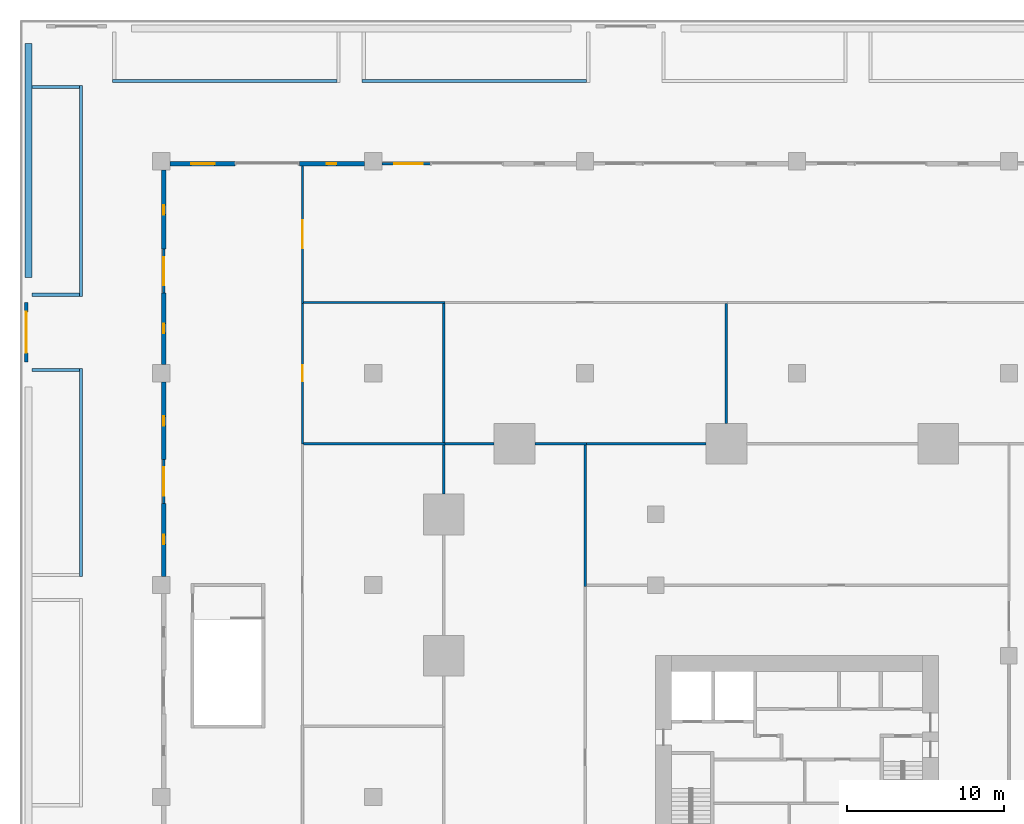
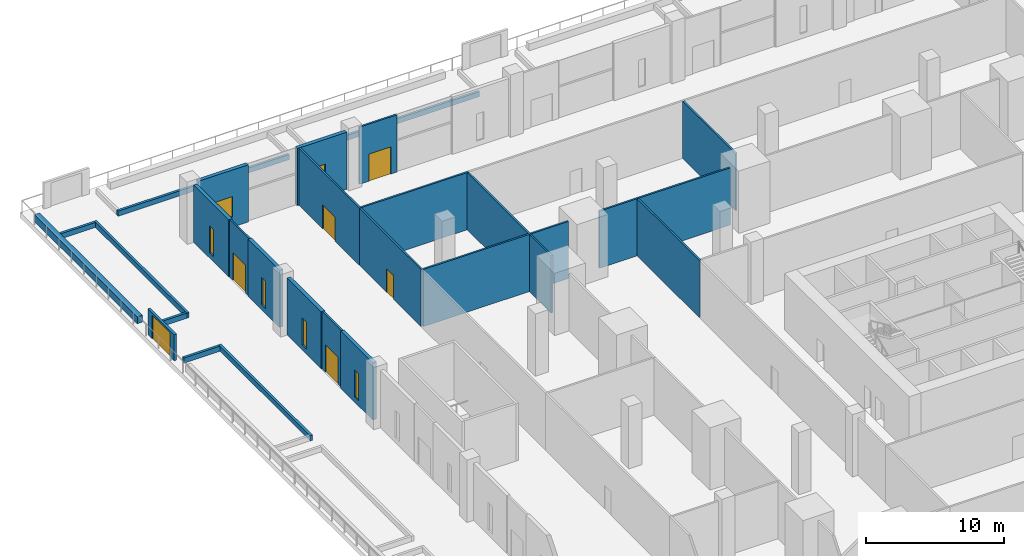
# One storey, part 32 of 47: 29 walls, 6 doors, 6 windows, 12 openings.
"""IFC4 building model written with IfcOpenShell, lengths in metres."""

import ifcopenshell
import ifcopenshell.guid

model = None  # the IFC model being written
_history = None  # IfcOwnerHistory: only IFC2X3 demands one
_inside = {}  # id of a spatial element -> (the spatial element, [elements in it])
_under = {}  # id of a project, library or spatial element -> (it, [spatial elements below it])
_declared = {}  # id of a project -> (the project, [libraries it declares])
_typed = {}  # id of a type object -> (the type object, [elements of that type])
_made_of = {}  # id of a material, layer set ... -> (it, [elements and type objects made of it])


def new_model(schema):
    """Start an empty IFC model of exactly this schema.

    Asked for "IFC4X3", IfcOpenShell would pick the latest addendum, in which some entities
    have other attributes; the version numbers below select the first issue.
    IFC2X3 requires an IfcOwnerHistory on every rooted entity: one is made here for all.
    """
    global model, _history
    if schema == "IFC4X3":
        model = ifcopenshell.file(schema_version=(4, 3, 0, 0))
    else:
        model = ifcopenshell.file(schema=schema)
    _inside.clear()
    _under.clear()
    _declared.clear()
    _typed.clear()
    _made_of.clear()
    _history = None
    if model.schema == "IFC2X3":
        org = make("IfcOrganization", Name="unknown")
        user = make(
            "IfcPersonAndOrganization",
            ThePerson=make("IfcPerson", FamilyName="unknown"),
            TheOrganization=org,
        )
        app = make(
            "IfcApplication",
            ApplicationDeveloper=org,
            Version="unknown",
            ApplicationFullName="unknown",
            ApplicationIdentifier="unknown",
        )
        _history = make(
            "IfcOwnerHistory",
            OwningUser=user,
            OwningApplication=app,
            ChangeAction="ADDED",
            CreationDate=0,
        )
    return model


def make(cls, **values):
    """One entity of the class cls with the attributes given. An attribute that is None is left unset."""
    return model.create_entity(
        cls, **{name: value for name, value in values.items() if value is not None}
    )


def rooted(cls, **values):
    """An entity with a GlobalId (a new one), such as an element, a storey or a relation."""
    return make(cls, GlobalId=ifcopenshell.guid.new(), OwnerHistory=_history, **values)


def si_unit(unit_type, name, prefix=None):
    """IfcSIUnit, for example si_unit("LENGTHUNIT", "METRE", prefix="MILLI")."""
    return make("IfcSIUnit", UnitType=unit_type, Prefix=prefix, Name=name)


def assignment(units):
    """IfcUnitAssignment: the units of a project."""
    return None if units is None else make("IfcUnitAssignment", Units=units)


def point(xyz):
    """IfcCartesianPoint."""
    return None if xyz is None else make("IfcCartesianPoint", Coordinates=xyz)


def direction(xyz):
    """IfcDirection."""
    return None if xyz is None else make("IfcDirection", DirectionRatios=xyz)


def frame(location, z_axis=None, x_axis=None):
    """IfcAxis2Placement3D, a coordinate frame: its origin and axes. An axis left out is left unset."""
    return make(
        "IfcAxis2Placement3D",
        Location=point(location),
        Axis=direction(z_axis),
        RefDirection=direction(x_axis),
    )


def frame_2d(location, x_axis=None):
    """IfcAxis2Placement2D, a coordinate frame in the plane: its origin and x axis."""
    return make(
        "IfcAxis2Placement2D", Location=point(location), RefDirection=direction(x_axis)
    )


def origin():
    """The frame at (0, 0, 0) with its axes left unset."""
    return frame((0.0, 0.0, 0.0))


def place(relative_to, where):
    """IfcLocalPlacement: puts the frame where relative to a parent placement (None: the world)."""
    return make(
        "IfcLocalPlacement", PlacementRelTo=relative_to, RelativePlacement=where
    )


def context(
    kind, dimensions, precision=None, world=None, true_north=None, identifier=None
):
    """IfcGeometricRepresentationContext, for example the 3D "Model" context."""
    return make(
        "IfcGeometricRepresentationContext",
        ContextIdentifier=identifier,
        ContextType=kind,
        CoordinateSpaceDimension=dimensions,
        Precision=precision,
        WorldCoordinateSystem=world,
        TrueNorth=true_north,
    )


def subcontext(parent, identifier, kind, view, scale=None):
    """IfcGeometricRepresentationSubContext, for example "Body" below "Model"."""
    return make(
        "IfcGeometricRepresentationSubContext",
        ContextIdentifier=identifier,
        ContextType=kind,
        ParentContext=parent,
        TargetScale=scale,
        TargetView=view,
    )


def project(units=None, contexts=None):
    """IfcProject with its units and contexts."""
    return rooted(
        "IfcProject",
        Name="project",
        RepresentationContexts=contexts,
        UnitsInContext=assignment(units),
    )


def spatial(cls, under=None, at=None, **own):
    """A site, building, storey or space (cls), placed at a placement, below another one or the project."""
    s = rooted(cls, ObjectPlacement=at, **own)
    if under is not None:
        _under.setdefault(under.id(), (under, []))[1].append(s)
    return s


def profile(cls, at=None, kind="AREA", **sizes):
    """A parametric profile (cls). Its sizes go by their IFC names, for example OverallWidth=200.0."""
    return make(cls, ProfileType=kind, Position=at, **sizes)


def rectangle(**sizes):
    """IfcRectangleProfileDef."""
    return profile("IfcRectangleProfileDef", **sizes)


def extrude(swept, where, along, depth):
    """IfcExtrudedAreaSolid: the profile swept, set in the frame where, extruded along a direction by depth."""
    return make(
        "IfcExtrudedAreaSolid",
        SweptArea=swept,
        Position=where,
        ExtrudedDirection=direction(along),
        Depth=depth,
    )


def shape(context_of_items, identifier, shape_type, items):
    """IfcShapeRepresentation: the items that make up one representation, for example the "Body"."""
    return make(
        "IfcShapeRepresentation",
        ContextOfItems=context_of_items,
        RepresentationIdentifier=identifier,
        RepresentationType=shape_type,
        Items=items,
    )


def material(Name=None, Category=None):
    """IfcMaterial."""
    return make("IfcMaterial", Name=Name, Category=Category)


def layer(
    of_material, thickness, ventilated=None, Name=None, Category=None, Priority=None
):
    """IfcMaterialLayer: one layer of a wall or slab, of a material (None: an air gap)."""
    return make(
        "IfcMaterialLayer",
        Material=of_material,
        LayerThickness=thickness,
        IsVentilated=ventilated,
        Name=Name,
        Category=Category,
        Priority=Priority,
    )


def layer_set(layers, Name=None):
    """IfcMaterialLayerSet."""
    return make("IfcMaterialLayerSet", MaterialLayers=layers, LayerSetName=Name)


def made_of(thing, what):
    """Note that an element or type object is made of a material, layer set ...; save() writes the relation."""
    if what is not None:
        _made_of.setdefault(what.id(), (what, []))[1].append(thing)
    return thing


def type_object(cls, material=None, **own):
    """A type object (cls), such as IfcWallType, which elements share."""
    return made_of(rooted(cls, **own), material)


def element(
    cls,
    number,
    at=None,
    inside=None,
    cuts=None,
    type_object=None,
    material=None,
    context=None,
    identifier="Body",
    shape_type=None,
    held_by="IfcProductDefinitionShape",
    body=None,
    shapes=None,
    **own,
):
    """One element of the class cls, such as IfcWall. Its Tag is "e" and its number.

    at: its placement. inside: the storey or other place that contains it. cuts: it is an
    opening in that element (IfcRelVoidsElement). A single representation is given by context,
    identifier, shape_type and body (its items); several are given by shapes. held_by: the class
    of the entity that holds the representations. save() writes the other relations.
    """
    e = rooted(cls, Tag="e%d" % number, ObjectPlacement=at, **own)
    if body is not None:
        shapes = [shape(context, identifier, shape_type, body)]
    if shapes is not None:
        e.Representation = make(held_by, Representations=shapes)
    if inside is not None:
        _inside.setdefault(inside.id(), (inside, []))[1].append(e)
    if cuts is not None:
        rooted(
            "IfcRelVoidsElement", RelatingBuildingElement=cuts, RelatedOpeningElement=e
        )
    if type_object is not None:
        _typed.setdefault(type_object.id(), (type_object, []))[1].append(e)
    return made_of(e, material)


def fill(opening, filler):
    """IfcRelFillsElement: the door or window that sits in an opening."""
    return rooted(
        "IfcRelFillsElement",
        RelatingOpeningElement=opening,
        RelatedBuildingElement=filler,
    )


def aggregate(whole, parts):
    """IfcRelAggregates: a whole, such as a stair, and the parts it consists of."""
    return rooted("IfcRelAggregates", RelatingObject=whole, RelatedObjects=parts)


def save(model, path):
    """Write the relations noted so far, then the file.

    IfcRelAggregates (storeys below a building ...), IfcRelContainedInSpatialStructure (elements
    in a storey), IfcRelDefinesByType, IfcRelAssociatesMaterial and IfcRelDeclares: one each for
    every whole, place, type object, material and project.
    """
    for whole, parts in _under.values():
        aggregate(whole, parts)
    for where, things in _inside.values():
        rooted(
            "IfcRelContainedInSpatialStructure",
            RelatedElements=things,
            RelatingStructure=where,
        )
    for kind, things in _typed.values():
        rooted("IfcRelDefinesByType", RelatedObjects=things, RelatingType=kind)
    for what, things in _made_of.values():
        rooted("IfcRelAssociatesMaterial", RelatedObjects=things, RelatingMaterial=what)
    for by, libraries in _declared.values():
        rooted("IfcRelDeclares", RelatingContext=by, RelatedDefinitions=libraries)
    model.write(path)


model = new_model("IFC4")

# Units and contexts
model_context = context("Model", 3, precision=1e-05, world=origin(), true_north=direction((0.0, 1.0)))
body_context = subcontext(model_context, "Body", "Model", "MODEL_VIEW")
ifc_project = project(units=[si_unit("LENGTHUNIT", "METRE"), si_unit("AREAUNIT", "SQUARE_METRE"), si_unit("VOLUMEUNIT", "CUBIC_METRE"), si_unit("PLANEANGLEUNIT", "RADIAN"), si_unit("MASSUNIT", "GRAM", prefix="KILO")], contexts=[model_context])

# Site, building, storey
site_placement = place(None, origin())
site = spatial("IfcSite", under=ifc_project, at=site_placement, CompositionType="ELEMENT")
building_placement = place(site_placement, origin())
building = spatial("IfcBuilding", under=site, at=building_placement, Name="Altepetl Exchange Towers", CompositionType="ELEMENT")
storey_placement = place(building_placement, frame((0.0, 0.0, 6.0)))
storey = spatial("IfcBuildingStorey", under=building, at=storey_placement, Name="L01 Retail podium", CompositionType="ELEMENT", Elevation=6.0)

# Wall, opening, door
ifc_material_1 = material(Name="Reinforced concrete C35/45", Category="concrete")
ifc_layer_1 = layer(ifc_material_1, 0.199951171875)
ifc_layer_set_1 = layer_set([ifc_layer_1], Name="Reinforced concrete C35/45")
wall_type_1 = type_object("IfcWallType", Name="Garden gate screen wall 200", PredefinedType="SOLIDWALL", material=ifc_layer_set_1)
wall_1_placement = place(storey_placement, frame((0.39990234375, 77.199951171875, 0.0), z_axis=(0.0, 0.0, 1.0), x_axis=(0.0, 1.0, 0.0)))
wall_1 = element("IfcWall", 1, at=wall_1_placement, inside=storey, type_object=wall_type_1, Name="wall:P:L01:gateG5", PredefinedType="SOLIDWALL", context=body_context, shape_type="SweptSolid", body=[
    extrude(rectangle(XDim=3.800048828125, YDim=0.199951171875, at=frame_2d((1.89990234375, 0.0))), origin(), (0.0, 0.0, 1.0), 2.300048828125),
])
opening_1_placement = place(wall_1_placement, frame((0.60009765625, 0.0, 0.0)))
opening_1 = element("IfcOpeningElement", 2, at=opening_1_placement, cuts=wall_1, Name="Opening L01.P060", PredefinedType="OPENING", context=body_context, shape_type="SweptSolid", body=[
    extrude(rectangle(XDim=2.60009765625, YDim=2.10009765625, at=frame_2d((1.300048828125, 1.050048828125))), frame((0.0, 0.10986328125, 0.0), z_axis=(0.0, -1.0, 0.0), x_axis=(1.0, 0.0, 0.0)), (0.0, 0.0, 1.0), 0.219970703125),
])
ifc_material_2 = material(Name="Painted steel bars and timber", Category="steel")
door_type_1 = type_object("IfcDoorType", Name="Garden gate 2600 x 2100 double leaf", OperationType="DOUBLE_DOOR_SINGLE_SWING", PredefinedType="GATE", material=ifc_material_2)
door_1_placement = place(opening_1_placement, origin())
door_1 = element("IfcDoor", 3, at=door_1_placement, inside=storey, type_object=door_type_1, Name="door:P:L01:060", OperationType="DOUBLE_DOOR_SINGLE_SWING", OverallHeight=2.10009765625, OverallWidth=2.60009765625, PredefinedType="GATE", context=body_context, shape_type="SweptSolid", body=[
    extrude(rectangle(XDim=2.60009765625, YDim=2.10009765625, at=frame_2d((1.300048828125, 1.050048828125))), frame((0.0, 0.02490234375, 0.0), z_axis=(0.0, -1.0, 0.0), x_axis=(1.0, 0.0, 0.0)), (0.0, 0.0, 1.0), 0.050048828125),
])
fill(opening_1, door_1)

ifc_material_3 = material(Name="Aluminium composite cladding", Category="aluminium")
ifc_layer_2 = layer(ifc_material_3, 0.14990234375)
ifc_layer_set_2 = layer_set([ifc_layer_2], Name="Aluminium composite cladding")
wall_type_2 = type_object("IfcWallType", Name="Infill wall 150 aluminium panel", PredefinedType="SOLIDWALL", material=ifc_layer_set_2)
wall_2_placement = place(storey_placement, frame((26.14990234375, 89.85009765625, 0.0), z_axis=(0.0, 0.0, 1.0), x_axis=(-1.0, 0.0, 0.0)))
wall_2 = element("IfcWall", 4, at=wall_2_placement, inside=storey, type_object=wall_type_2, Name="Door bay wall", PredefinedType="SOLIDWALL", context=body_context, shape_type="SweptSolid", body=[
    extrude(rectangle(XDim=3.099853515625, YDim=0.14990234375, at=frame_2d((1.5498046875, 0.0))), origin(), (0.0, 0.0, 1.0), 5.050048828125),
])
opening_2_placement = place(wall_2_placement, frame((0.5, 0.0, 0.0)))
opening_2 = element("IfcOpeningElement", 5, at=opening_2_placement, cuts=wall_2, Name="Opening L01.E15", PredefinedType="OPENING", context=body_context, shape_type="SweptSolid", body=[
    extrude(rectangle(XDim=1.800048828125, YDim=2.39990234375, at=frame_2d((0.89990234375, 1.199951171875))), frame((0.0, 0.0849609375, 0.0), z_axis=(0.0, -1.0, 0.0), x_axis=(1.0, 0.0, 0.0)), (0.0, 0.0, 1.0), 0.169921875),
])
ifc_material_4 = material(Name="Aluminium 6063-T6 and glass", Category="aluminium")
door_type_2 = type_object("IfcDoorType", Name="Glazed door pair 1800x2400", OperationType="DOUBLE_DOOR_DOUBLE_SWING", PredefinedType="NOTDEFINED", material=ifc_material_4)
door_2_placement = place(opening_2_placement, frame((1.800048828125, 0.0, 0.0), x_axis=(-1.0, 0.0, 0.0)))
door_2 = element("IfcDoor", 6, at=door_2_placement, inside=storey, type_object=door_type_2, Name="Terrace door", OperationType="DOUBLE_DOOR_DOUBLE_SWING", OverallHeight=2.39990234375, OverallWidth=1.800048828125, PredefinedType="NOTDEFINED", context=body_context, shape_type="SweptSolid", body=[
    extrude(rectangle(XDim=1.800048828125, YDim=2.39990234375, at=frame_2d((0.89990234375, 1.199951171875))), frame((0.0, 0.02490234375, 0.0), z_axis=(0.0, -1.0, 0.0), x_axis=(1.0, 0.0, 0.0)), (0.0, 0.0, 1.0), 0.050048828125),
])
fill(opening_2, door_2)

wall_3_placement = place(storey_placement, frame((9.14990234375, 84.39990234375, 0.0), z_axis=(0.0, 0.0, 1.0), x_axis=(0.0, -1.0, 0.0)))
wall_3 = element("IfcWall", 7, at=wall_3_placement, inside=storey, type_object=wall_type_2, Name="Door bay wall", PredefinedType="SOLIDWALL", context=body_context, shape_type="SweptSolid", body=[
    extrude(rectangle(XDim=2.7998046875, YDim=0.14990234375, at=frame_2d((1.39990234375, 0.0))), origin(), (0.0, 0.0, 1.0), 5.050048828125),
])
opening_3_placement = place(wall_3_placement, frame((0.5, 0.0, 0.0)))
opening_3 = element("IfcOpeningElement", 8, at=opening_3_placement, cuts=wall_3, Name="Opening L01.E10", PredefinedType="OPENING", context=body_context, shape_type="SweptSolid", body=[
    extrude(rectangle(XDim=1.800048828125, YDim=2.39990234375, at=frame_2d((0.89990234375, 1.199951171875))), frame((0.0, 0.0849609375, 0.0), z_axis=(0.0, -1.0, 0.0), x_axis=(1.0, 0.0, 0.0)), (0.0, 0.0, 1.0), 0.169921875),
])
door_3_placement = place(opening_3_placement, frame((1.800048828125, 0.0, 0.0), x_axis=(-1.0, 0.0, 0.0)))
door_3 = element("IfcDoor", 9, at=door_3_placement, inside=storey, type_object=door_type_2, Name="Terrace door", OperationType="DOUBLE_DOOR_DOUBLE_SWING", OverallHeight=2.39990234375, OverallWidth=1.800048828125, PredefinedType="NOTDEFINED", context=body_context, shape_type="SweptSolid", body=[
    extrude(rectangle(XDim=1.800048828125, YDim=2.39990234375, at=frame_2d((0.89990234375, 1.199951171875))), frame((0.0, 0.02490234375, 0.0), z_axis=(0.0, -1.0, 0.0), x_axis=(1.0, 0.0, 0.0)), (0.0, 0.0, 1.0), 0.050048828125),
])
fill(opening_3, door_3)

wall_4_placement = place(storey_placement, frame((9.14990234375, 71.0, 0.0), z_axis=(0.0, 0.0, 1.0), x_axis=(0.0, -1.0, 0.0)))
wall_4 = element("IfcWall", 10, at=wall_4_placement, inside=storey, type_object=wall_type_2, Name="Door bay wall", PredefinedType="SOLIDWALL", context=body_context, shape_type="SweptSolid", body=[
    extrude(rectangle(XDim=2.800048828125, YDim=0.14990234375, at=frame_2d((1.39990234375, 0.0))), origin(), (0.0, 0.0, 1.0), 5.050048828125),
])
opening_4_placement = place(wall_4_placement, frame((0.5, 0.0, 0.0)))
opening_4 = element("IfcOpeningElement", 11, at=opening_4_placement, cuts=wall_4, Name="Opening L01.E09", PredefinedType="OPENING", context=body_context, shape_type="SweptSolid", body=[
    extrude(rectangle(XDim=1.800048828125, YDim=2.39990234375, at=frame_2d((0.89990234375, 1.199951171875))), frame((0.0, 0.0849609375, 0.0), z_axis=(0.0, -1.0, 0.0), x_axis=(1.0, 0.0, 0.0)), (0.0, 0.0, 1.0), 0.169921875),
])
door_4_placement = place(opening_4_placement, frame((1.800048828125, 0.0, 0.0), x_axis=(-1.0, 0.0, 0.0)))
door_4 = element("IfcDoor", 12, at=door_4_placement, inside=storey, type_object=door_type_2, Name="Terrace door", OperationType="DOUBLE_DOOR_DOUBLE_SWING", OverallHeight=2.39990234375, OverallWidth=1.800048828125, PredefinedType="NOTDEFINED", context=body_context, shape_type="SweptSolid", body=[
    extrude(rectangle(XDim=1.800048828125, YDim=2.39990234375, at=frame_2d((0.89990234375, 1.199951171875))), frame((0.0, 0.02490234375, 0.0), z_axis=(0.0, -1.0, 0.0), x_axis=(1.0, 0.0, 0.0)), (0.0, 0.0, 1.0), 0.050048828125),
])
fill(opening_4, door_4)

# Walls
ifc_material_5 = material(Name="Concrete C30/37", Category="concrete")
ifc_layer_3 = layer(ifc_material_5, 0.449951171875)
ifc_layer_set_3 = layer_set([ifc_layer_3], Name="Concrete C30/37")
wall_type_3 = type_object("IfcWallType", Name="Planter wall 450 concrete", PredefinedType="SOLIDWALL", material=ifc_layer_set_3)
wall_5_placement = place(storey_placement, frame((0.550048828125, 97.4892578125, 0.0), z_axis=(0.0, 0.0, 1.0), x_axis=(0.0, -1.0, 0.0)))
element("IfcWall", 13, at=wall_5_placement, inside=storey, type_object=wall_type_3, Name="Planter bed wall", PredefinedType="SOLIDWALL", context=body_context, shape_type="SweptSolid", body=[
    extrude(rectangle(XDim=14.896728515625, YDim=0.449951171875, at=frame_2d((7.4482421875, 0.0))), origin(), (0.0, 0.0, 1.0), 0.60009765625),
])
ifc_layer_4 = layer(ifc_material_1, 0.199951171875)
ifc_layer_set_4 = layer_set([ifc_layer_4], Name="Reinforced concrete C35/45")
wall_type_4 = type_object("IfcWallType", Name="Planting bed curb 200", PredefinedType="SOLIDWALL", material=ifc_layer_set_4)
for number, where, name in (
    (14, (5.89990234375, 95.125, 0.0), "wall:P:L01:CB20s"),
    (15, (21.800048828125, 95.125, 0.0), "wall:P:L01:CB21s"),
):
    element("IfcWall", number, at=place(storey_placement, frame(where)), inside=storey, type_object=wall_type_4, Name=name, PredefinedType="SOLIDWALL", context=body_context, shape_type="SweptSolid", body=[
        extrude(rectangle(XDim=14.300048828125, YDim=0.199951171875, at=frame_2d((7.14990234375, 0.0))), origin(), (0.0, 0.0, 1.0), 0.449951171875),
    ])
wall_6_placement = place(storey_placement, frame((3.875, 63.5400390625, 0.0), z_axis=(0.0, 0.0, 1.0), x_axis=(0.0, 1.0, 0.0)))
element("IfcWall", 16, at=wall_6_placement, inside=storey, type_object=wall_type_4, Name="wall:P:L01:CB26e", PredefinedType="SOLIDWALL", context=body_context, shape_type="SweptSolid", body=[
    extrude(rectangle(XDim=13.260009765625, YDim=0.199951171875, at=frame_2d((6.6298828125, 0.0))), origin(), (0.0, 0.0, 1.0), 0.449951171875),
])
wall_7_placement = place(storey_placement, frame((0.77490234375, 76.699951171875, 0.0)))
element("IfcWall", 17, at=wall_7_placement, inside=storey, type_object=wall_type_4, Name="wall:P:L01:CB26n", PredefinedType="SOLIDWALL", context=body_context, shape_type="SweptSolid", body=[
    extrude(rectangle(XDim=3.0, YDim=0.199951171875, at=frame_2d((1.5, 0.0))), origin(), (0.0, 0.0, 1.0), 0.449951171875),
])
wall_8_placement = place(storey_placement, frame((3.875, 81.39990234375, 0.0), z_axis=(0.0, 0.0, 1.0), x_axis=(0.0, 1.0, 0.0)))
element("IfcWall", 18, at=wall_8_placement, inside=storey, type_object=wall_type_4, Name="wall:P:L01:CB27e", PredefinedType="SOLIDWALL", context=body_context, shape_type="SweptSolid", body=[
    extrude(rectangle(XDim=13.425048828125, YDim=0.199951171875, at=frame_2d((6.71240234375, 0.0))), origin(), (0.0, 0.0, 1.0), 0.449951171875),
])
for number, where, name in (
    (19, (0.77490234375, 94.72509765625, 0.0), "wall:P:L01:CB27n"),
    (20, (0.77490234375, 81.5, 0.0), "wall:P:L01:CB27s"),
):
    element("IfcWall", number, at=place(storey_placement, frame(where)), inside=storey, type_object=wall_type_4, Name=name, PredefinedType="SOLIDWALL", context=body_context, shape_type="SweptSolid", body=[
        extrude(rectangle(XDim=3.0, YDim=0.199951171875, at=frame_2d((1.5, 0.0))), origin(), (0.0, 0.0, 1.0), 0.449951171875),
    ])

# Wall, opening, door
ifc_material_6 = material(Name="Gypsum board on steel studs", Category="steel")
ifc_layer_5 = layer(ifc_material_6, 0.14990234375)
ifc_layer_set_5 = layer_set([ifc_layer_5], Name="Gypsum board on steel studs")
wall_type_5 = type_object("IfcWallType", Name="Podium partition 150", PredefinedType="PARTITIONING", material=ifc_layer_set_5)
wall_9_placement = place(storey_placement, frame((18.0, 80.925048828125, 0.0), z_axis=(0.0, 0.0, 1.0), x_axis=(0.0, 1.0, 0.0)))
wall_9 = element("IfcWall", 21, at=wall_9_placement, inside=storey, type_object=wall_type_5, Name="wall:P:L01:P036", PredefinedType="PARTITIONING", context=body_context, shape_type="SweptSolid", body=[
    extrude(rectangle(XDim=8.77490234375, YDim=0.14990234375, at=frame_2d((4.387451171875, 0.0))), origin(), (0.0, 0.0, 1.0), 5.050048828125),
])
opening_5_placement = place(wall_9_placement, frame((3.52490234375, 0.0, 0.0)))
opening_5 = element("IfcOpeningElement", 22, at=opening_5_placement, cuts=wall_9, Name="Opening L01.P047", PredefinedType="OPENING", context=body_context, shape_type="SweptSolid", body=[
    extrude(rectangle(XDim=1.800048828125, YDim=2.10009765625, at=frame_2d((0.89990234375, 1.050048828125))), frame((0.0, 0.0849609375, 0.0), z_axis=(0.0, -1.0, 0.0), x_axis=(1.0, 0.0, 0.0)), (0.0, 0.0, 1.0), 0.169921875),
])
ifc_material_7 = material(Name="Glazed aluminium and steel", Category="steel")
door_type_3 = type_object("IfcDoorType", Name="Podium fire door 1800 x 2100 double leaf", OperationType="DOUBLE_DOOR_SINGLE_SWING", PredefinedType="DOOR", material=ifc_material_7)
door_5_placement = place(opening_5_placement, frame((1.800048828125, 0.0, 0.0), x_axis=(-1.0, 0.0, 0.0)))
door_5 = element("IfcDoor", 23, at=door_5_placement, inside=storey, type_object=door_type_3, Name="door:P:L01:047", OperationType="DOUBLE_DOOR_SINGLE_SWING", OverallHeight=2.10009765625, OverallWidth=1.800048828125, PredefinedType="DOOR", context=body_context, shape_type="SweptSolid", body=[
    extrude(rectangle(XDim=1.800048828125, YDim=2.10009765625, at=frame_2d((0.89990234375, 1.050048828125))), frame((0.0, 0.02490234375, 0.0), z_axis=(0.0, -1.0, 0.0), x_axis=(1.0, 0.0, 0.0)), (0.0, 0.0, 1.0), 0.050048828125),
])
fill(opening_5, door_5)

wall_10_placement = place(storey_placement, frame((18.0, 72.0, 0.0), z_axis=(0.0, 0.0, 1.0), x_axis=(0.0, 1.0, 0.0)))
wall_10 = element("IfcWall", 24, at=wall_10_placement, inside=storey, type_object=wall_type_5, Name="wall:P:L01:P040", PredefinedType="PARTITIONING", context=body_context, shape_type="SweptSolid", body=[
    extrude(rectangle(XDim=9.0, YDim=0.14990234375, at=frame_2d((4.5, 0.0))), origin(), (0.0, 0.0, 1.0), 5.050048828125),
])
opening_6_placement = place(wall_10_placement, frame((4.0, 0.0, 0.0)))
opening_6 = element("IfcOpeningElement", 25, at=opening_6_placement, cuts=wall_10, Name="Opening L01.P004", PredefinedType="OPENING", context=body_context, shape_type="SweptSolid", body=[
    extrude(rectangle(XDim=1.0, YDim=2.10009765625, at=frame_2d((0.5, 1.050048828125))), frame((0.0, 0.0849609375, 0.0), z_axis=(0.0, -1.0, 0.0), x_axis=(1.0, 0.0, 0.0)), (0.0, 0.0, 1.0), 0.169921875),
])
ifc_material_8 = material(Name="Steel and timber fire door", Category="steel")
door_type_4 = type_object("IfcDoorType", Name="Podium fire door 1000 x 2100 single leaf", OperationType="SINGLE_SWING_LEFT", PredefinedType="DOOR", material=ifc_material_8)
door_6_placement = place(opening_6_placement, frame((1.0, 0.0, 0.0), x_axis=(-1.0, 0.0, 0.0)))
door_6 = element("IfcDoor", 26, at=door_6_placement, inside=storey, type_object=door_type_4, Name="door:P:L01:004", OperationType="SINGLE_SWING_LEFT", OverallHeight=2.10009765625, OverallWidth=1.0, PredefinedType="DOOR", context=body_context, shape_type="SweptSolid", body=[
    extrude(rectangle(XDim=1.0, YDim=2.10009765625, at=frame_2d((0.5, 1.050048828125))), frame((0.0, 0.02490234375, 0.0), z_axis=(0.0, -1.0, 0.0), x_axis=(1.0, 0.0, 0.0)), (0.0, 0.0, 1.0), 0.050048828125),
])
fill(opening_6, door_6)

# Walls
for number, where, name in (
    (27, (18.074951171875, 81.0, 0.0), "wall:P:L01:P050"),
    (28, (18.074951171875, 72.0, 0.0), "wall:P:L01:P075"),
):
    element("IfcWall", number, at=place(storey_placement, frame(where)), inside=storey, type_object=wall_type_5, Name=name, PredefinedType="PARTITIONING", context=body_context, shape_type="SweptSolid", body=[
        extrude(rectangle(XDim=9.0, YDim=0.14990234375, at=frame_2d((4.5, 0.0))), origin(), (0.0, 0.0, 1.0), 5.050048828125),
    ])
wall_11_placement = place(storey_placement, frame((27.0, 68.794921875, 0.0), z_axis=(0.0, 0.0, 1.0), x_axis=(0.0, 1.0, 0.0)))
element("IfcWall", 29, at=wall_11_placement, inside=storey, type_object=wall_type_5, Name="wall:P:L01:P078", PredefinedType="PARTITIONING", context=body_context, shape_type="SweptSolid", body=[
    extrude(rectangle(XDim=3.130126953125, YDim=0.14990234375, at=frame_2d((1.56494140625, 0.0))), origin(), (0.0, 0.0, 1.0), 5.050048828125),
])
wall_12_placement = place(storey_placement, frame((27.0, 71.925048828125, 0.0), z_axis=(0.0, 0.0, 1.0), x_axis=(0.0, 1.0, 0.0)))
element("IfcWall", 30, at=wall_12_placement, inside=storey, type_object=wall_type_5, Name="wall:P:L01:P079", PredefinedType="PARTITIONING", context=body_context, shape_type="SweptSolid", body=[
    extrude(rectangle(XDim=9.0, YDim=0.14990234375, at=frame_2d((4.5, 0.0))), origin(), (0.0, 0.0, 1.0), 5.050048828125),
])
wall_13_placement = place(storey_placement, frame((45.0, 73.294921875, 0.0), z_axis=(0.0, 0.0, 1.0), x_axis=(0.0, 1.0, 0.0)))
element("IfcWall", 31, at=wall_13_placement, inside=storey, type_object=wall_type_5, Name="wall:P:L01:P100", PredefinedType="PARTITIONING", context=body_context, shape_type="SweptSolid", body=[
    extrude(rectangle(XDim=7.630126953125, YDim=0.14990234375, at=frame_2d((3.81494140625, 0.0))), origin(), (0.0, 0.0, 1.0), 5.050048828125),
])
wall_14_placement = place(storey_placement, frame((27.074951171875, 72.0, 0.0)))
element("IfcWall", 32, at=wall_14_placement, inside=storey, type_object=wall_type_5, Name="wall:P:L01:P101", PredefinedType="PARTITIONING", context=body_context, shape_type="SweptSolid", body=[
    extrude(rectangle(XDim=3.130126953125, YDim=0.14990234375, at=frame_2d((1.56494140625, 0.0))), origin(), (0.0, 0.0, 1.0), 5.050048828125),
])
wall_15_placement = place(storey_placement, frame((32.794921875, 72.0, 0.0)))
element("IfcWall", 33, at=wall_15_placement, inside=storey, type_object=wall_type_5, Name="wall:P:L01:P102", PredefinedType="PARTITIONING", context=body_context, shape_type="SweptSolid", body=[
    extrude(rectangle(XDim=3.280029296875, YDim=0.14990234375, at=frame_2d((1.64013671875, 0.0))), origin(), (0.0, 0.0, 1.0), 5.050048828125),
])
wall_16_placement = place(storey_placement, frame((36.0, 72.0, 0.0)))
element("IfcWall", 34, at=wall_16_placement, inside=storey, type_object=wall_type_5, Name="wall:P:L01:P103", PredefinedType="PARTITIONING", context=body_context, shape_type="SweptSolid", body=[
    extrude(rectangle(XDim=7.705078125, YDim=0.14990234375, at=frame_2d((3.8525390625, 0.0))), origin(), (0.0, 0.0, 1.0), 5.050048828125),
])
wall_17_placement = place(storey_placement, frame((36.0, 62.925048828125, 0.0), z_axis=(0.0, 0.0, 1.0), x_axis=(0.0, 1.0, 0.0)))
element("IfcWall", 35, at=wall_17_placement, inside=storey, type_object=wall_type_5, Name="wall:P:L01:P116", PredefinedType="PARTITIONING", context=body_context, shape_type="SweptSolid", body=[
    extrude(rectangle(XDim=9.0, YDim=0.14990234375, at=frame_2d((4.5, 0.0))), origin(), (0.0, 0.0, 1.0), 5.050048828125),
])

# Wall, opening, window
ifc_material_9 = material(Name="Cantera limestone cladding", Category="masonry")
ifc_layer_6 = layer(ifc_material_9, 0.300048828125)
ifc_layer_set_6 = layer_set([ifc_layer_6], Name="Cantera limestone cladding")
wall_type_6 = type_object("IfcWallType", Name="Stone wall panel 300", PredefinedType="ELEMENTEDWALL", material=ifc_layer_set_6)
wall_18_placement = place(storey_placement, frame((21.949951171875, 89.85009765625, 0.0), z_axis=(0.0, 0.0, 1.0), x_axis=(-1.0, 0.0, 0.0)))
wall_18 = element("IfcWall", 36, at=wall_18_placement, inside=storey, type_object=wall_type_6, Name="Stone wall panel", PredefinedType="ELEMENTEDWALL", context=body_context, shape_type="SweptSolid", body=[
    extrude(rectangle(XDim=4.14990234375, YDim=0.300048828125, at=frame_2d((2.074951171875, 0.0))), origin(), (0.0, 0.0, 1.0), 5.050048828125),
])
opening_7_placement = place(wall_18_placement, frame((1.800048828125, 0.0, 0.449951171875)))
opening_7 = element("IfcOpeningElement", 37, at=opening_7_placement, cuts=wall_18, Name="Opening W3", PredefinedType="OPENING", context=body_context, shape_type="SweptSolid", body=[
    extrude(rectangle(XDim=0.60009765625, YDim=2.39990234375, at=frame_2d((0.300048828125, 1.199951171875))), frame((0.0, 0.16015625, 0.0), z_axis=(0.0, -1.0, 0.0), x_axis=(1.0, 0.0, 0.0)), (0.0, 0.0, 1.0), 0.320068359375),
])
window_type_1 = type_object("IfcWindowType", Name="Tall slot window 600x2400", PartitioningType="SINGLE_PANEL", PredefinedType="WINDOW", material=ifc_material_4)
window_1_placement = place(opening_7_placement, origin())
window_1 = element("IfcWindow", 38, at=window_1_placement, inside=storey, type_object=window_type_1, Name="Window", OverallHeight=2.39990234375, OverallWidth=0.60009765625, PartitioningType="SINGLE_PANEL", PredefinedType="WINDOW", context=body_context, shape_type="SweptSolid", body=[
    extrude(rectangle(XDim=0.60009765625, YDim=2.39990234375, at=frame_2d((0.300048828125, 1.199951171875))), frame((0.0, 0.030029296875, 0.0), z_axis=(0.0, -1.0, 0.0), x_axis=(1.0, 0.0, 0.0)), (0.0, 0.0, 1.0), 0.06005859375),
])
fill(opening_7, window_1)

wall_19_placement = place(storey_placement, frame((13.699951171875, 89.85009765625, 0.0), z_axis=(0.0, 0.0, 1.0), x_axis=(-1.0, 0.0, 0.0)))
wall_19 = element("IfcWall", 39, at=wall_19_placement, inside=storey, type_object=wall_type_6, Name="Stone wall panel", PredefinedType="ELEMENTEDWALL", context=body_context, shape_type="SweptSolid", body=[
    extrude(rectangle(XDim=4.14990234375, YDim=0.300048828125, at=frame_2d((2.074951171875, 0.0))), origin(), (0.0, 0.0, 1.0), 5.050048828125),
])
opening_8_placement = place(wall_19_placement, frame((1.300048828125, 0.0, 0.89990234375)))
opening_8 = element("IfcOpeningElement", 40, at=opening_8_placement, cuts=wall_19, Name="Opening W2", PredefinedType="OPENING", context=body_context, shape_type="SweptSolid", body=[
    extrude(rectangle(XDim=1.5, YDim=1.800048828125, at=frame_2d((0.75, 0.89990234375))), frame((0.0, 0.16015625, 0.0), z_axis=(0.0, -1.0, 0.0), x_axis=(1.0, 0.0, 0.0)), (0.0, 0.0, 1.0), 0.320068359375),
])
ifc_material_10 = material(Name="Timber and glass", Category="wood")
window_type_2 = type_object("IfcWindowType", Name="Punched window 1500x1800", PartitioningType="SINGLE_PANEL", PredefinedType="WINDOW", material=ifc_material_10)
window_2_placement = place(opening_8_placement, origin())
window_2 = element("IfcWindow", 41, at=window_2_placement, inside=storey, type_object=window_type_2, Name="Window", OverallHeight=1.800048828125, OverallWidth=1.5, PartitioningType="SINGLE_PANEL", PredefinedType="WINDOW", context=body_context, shape_type="SweptSolid", body=[
    extrude(rectangle(XDim=1.5, YDim=1.800048828125, at=frame_2d((0.75, 0.89990234375))), frame((0.0, 0.030029296875, 0.0), z_axis=(0.0, -1.0, 0.0), x_axis=(1.0, 0.0, 0.0)), (0.0, 0.0, 1.0), 0.06005859375),
])
fill(opening_8, window_2)

wall_20_placement = place(storey_placement, frame((9.14990234375, 89.449951171875, 0.0), z_axis=(0.0, 0.0, 1.0), x_axis=(0.0, -1.0, 0.0)))
wall_20 = element("IfcWall", 42, at=wall_20_placement, inside=storey, type_object=wall_type_6, Name="Stone wall panel", PredefinedType="ELEMENTEDWALL", context=body_context, shape_type="SweptSolid", body=[
    extrude(rectangle(XDim=5.050048828125, YDim=0.300048828125, at=frame_2d((2.52490234375, 0.0))), origin(), (0.0, 0.0, 1.0), 5.050048828125),
])
opening_9_placement = place(wall_20_placement, frame((2.25, 0.0, 0.449951171875)))
opening_9 = element("IfcOpeningElement", 43, at=opening_9_placement, cuts=wall_20, Name="Opening W3", PredefinedType="OPENING", context=body_context, shape_type="SweptSolid", body=[
    extrude(rectangle(XDim=0.60009765625, YDim=2.39990234375, at=frame_2d((0.300048828125, 1.199951171875))), frame((0.0, 0.16015625, 0.0), z_axis=(0.0, -1.0, 0.0), x_axis=(1.0, 0.0, 0.0)), (0.0, 0.0, 1.0), 0.320068359375),
])
window_3_placement = place(opening_9_placement, origin())
window_3 = element("IfcWindow", 44, at=window_3_placement, inside=storey, type_object=window_type_1, Name="Window", OverallHeight=2.39990234375, OverallWidth=0.60009765625, PartitioningType="SINGLE_PANEL", PredefinedType="WINDOW", context=body_context, shape_type="SweptSolid", body=[
    extrude(rectangle(XDim=0.60009765625, YDim=2.39990234375, at=frame_2d((0.300048828125, 1.199951171875))), frame((0.0, 0.030029296875, 0.0), z_axis=(0.0, -1.0, 0.0), x_axis=(1.0, 0.0, 0.0)), (0.0, 0.0, 1.0), 0.06005859375),
])
fill(opening_9, window_3)

wall_21_placement = place(storey_placement, frame((9.14990234375, 81.60009765625, 0.0), z_axis=(0.0, 0.0, 1.0), x_axis=(0.0, -1.0, 0.0)))
wall_21 = element("IfcWall", 45, at=wall_21_placement, inside=storey, type_object=wall_type_6, Name="Stone wall panel", PredefinedType="ELEMENTEDWALL", context=body_context, shape_type="SweptSolid", body=[
    extrude(rectangle(XDim=4.550048828125, YDim=0.300048828125, at=frame_2d((2.27490234375, 0.0))), origin(), (0.0, 0.0, 1.0), 5.050048828125),
])
opening_10_placement = place(wall_21_placement, frame((1.949951171875, 0.0, 0.449951171875)))
opening_10 = element("IfcOpeningElement", 46, at=opening_10_placement, cuts=wall_21, Name="Opening W3", PredefinedType="OPENING", context=body_context, shape_type="SweptSolid", body=[
    extrude(rectangle(XDim=0.60009765625, YDim=2.39990234375, at=frame_2d((0.300048828125, 1.199951171875))), frame((0.0, 0.16015625, 0.0), z_axis=(0.0, -1.0, 0.0), x_axis=(1.0, 0.0, 0.0)), (0.0, 0.0, 1.0), 0.320068359375),
])
window_4_placement = place(opening_10_placement, origin())
window_4 = element("IfcWindow", 47, at=window_4_placement, inside=storey, type_object=window_type_1, Name="Window", OverallHeight=2.39990234375, OverallWidth=0.60009765625, PartitioningType="SINGLE_PANEL", PredefinedType="WINDOW", context=body_context, shape_type="SweptSolid", body=[
    extrude(rectangle(XDim=0.60009765625, YDim=2.39990234375, at=frame_2d((0.300048828125, 1.199951171875))), frame((0.0, 0.030029296875, 0.0), z_axis=(0.0, -1.0, 0.0), x_axis=(1.0, 0.0, 0.0)), (0.0, 0.0, 1.0), 0.06005859375),
])
fill(opening_10, window_4)

wall_22_placement = place(storey_placement, frame((9.14990234375, 75.949951171875, 0.0), z_axis=(0.0, 0.0, 1.0), x_axis=(0.0, -1.0, 0.0)))
wall_22 = element("IfcWall", 48, at=wall_22_placement, inside=storey, type_object=wall_type_6, Name="Stone wall panel", PredefinedType="ELEMENTEDWALL", context=body_context, shape_type="SweptSolid", body=[
    extrude(rectangle(XDim=4.949951171875, YDim=0.300048828125, at=frame_2d((2.47509765625, 0.0))), origin(), (0.0, 0.0, 1.0), 5.050048828125),
])
opening_11_placement = place(wall_22_placement, frame((2.199951171875, 0.0, 0.449951171875)))
opening_11 = element("IfcOpeningElement", 49, at=opening_11_placement, cuts=wall_22, Name="Opening W3", PredefinedType="OPENING", context=body_context, shape_type="SweptSolid", body=[
    extrude(rectangle(XDim=0.60009765625, YDim=2.39990234375, at=frame_2d((0.300048828125, 1.199951171875))), frame((0.0, 0.16015625, 0.0), z_axis=(0.0, -1.0, 0.0), x_axis=(1.0, 0.0, 0.0)), (0.0, 0.0, 1.0), 0.320068359375),
])
window_5_placement = place(opening_11_placement, origin())
window_5 = element("IfcWindow", 50, at=window_5_placement, inside=storey, type_object=window_type_1, Name="Window", OverallHeight=2.39990234375, OverallWidth=0.60009765625, PartitioningType="SINGLE_PANEL", PredefinedType="WINDOW", context=body_context, shape_type="SweptSolid", body=[
    extrude(rectangle(XDim=0.60009765625, YDim=2.39990234375, at=frame_2d((0.300048828125, 1.199951171875))), frame((0.0, 0.030029296875, 0.0), z_axis=(0.0, -1.0, 0.0), x_axis=(1.0, 0.0, 0.0)), (0.0, 0.0, 1.0), 0.06005859375),
])
fill(opening_11, window_5)

wall_23_placement = place(storey_placement, frame((9.14990234375, 68.199951171875, 0.0), z_axis=(0.0, 0.0, 1.0), x_axis=(0.0, -1.0, 0.0)))
wall_23 = element("IfcWall", 51, at=wall_23_placement, inside=storey, type_object=wall_type_6, Name="Stone wall panel", PredefinedType="ELEMENTEDWALL", context=body_context, shape_type="SweptSolid", body=[
    extrude(rectangle(XDim=4.64990234375, YDim=0.300048828125, at=frame_2d((2.324951171875, 0.0))), origin(), (0.0, 0.0, 1.0), 5.050048828125),
])
opening_12_placement = place(wall_23_placement, frame((2.0, 0.0, 0.449951171875)))
opening_12 = element("IfcOpeningElement", 52, at=opening_12_placement, cuts=wall_23, Name="Opening W3", PredefinedType="OPENING", context=body_context, shape_type="SweptSolid", body=[
    extrude(rectangle(XDim=0.60009765625, YDim=2.39990234375, at=frame_2d((0.300048828125, 1.199951171875))), frame((0.0, 0.16015625, 0.0), z_axis=(0.0, -1.0, 0.0), x_axis=(1.0, 0.0, 0.0)), (0.0, 0.0, 1.0), 0.320068359375),
])
window_6_placement = place(opening_12_placement, origin())
window_6 = element("IfcWindow", 53, at=window_6_placement, inside=storey, type_object=window_type_1, Name="Window", OverallHeight=2.39990234375, OverallWidth=0.60009765625, PartitioningType="SINGLE_PANEL", PredefinedType="WINDOW", context=body_context, shape_type="SweptSolid", body=[
    extrude(rectangle(XDim=0.60009765625, YDim=2.39990234375, at=frame_2d((0.300048828125, 1.199951171875))), frame((0.0, 0.030029296875, 0.0), z_axis=(0.0, -1.0, 0.0), x_axis=(1.0, 0.0, 0.0)), (0.0, 0.0, 1.0), 0.06005859375),
])
fill(opening_12, window_6)

save(model, "model.ifc")
